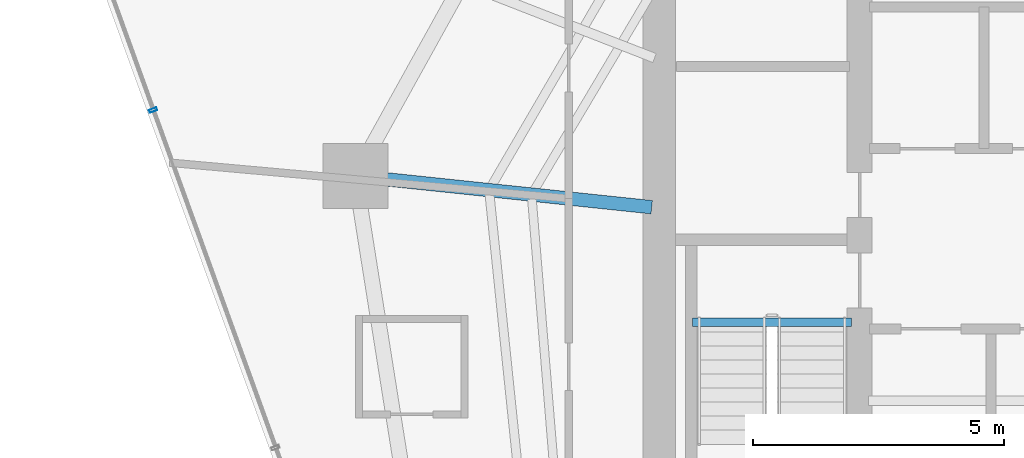
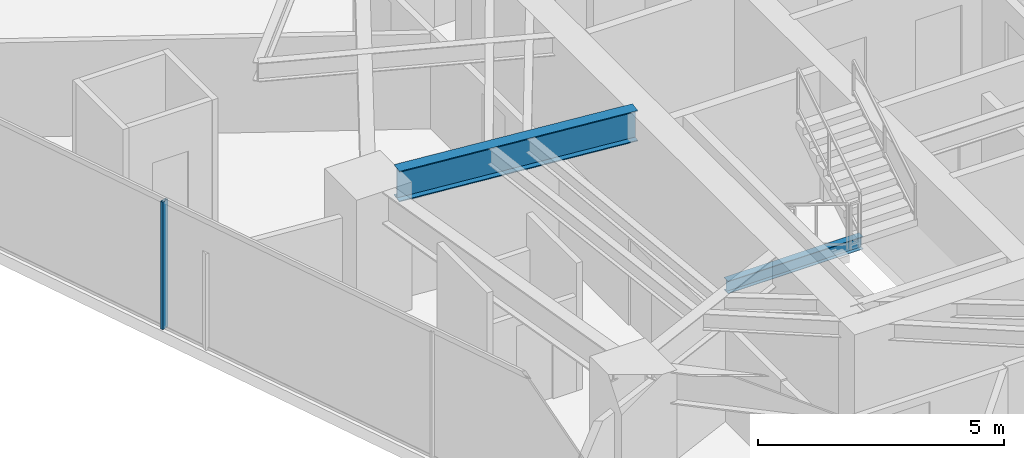
# One storey, part 9 of 33: 2 beams, 1 member, 1 element without a shape of its own.
"""IFC4 building model written with IfcOpenShell, lengths in metres."""

from ifc_helpers import new_model, si_unit, direction, frame, origin, origin_2d, place, context, subcontext, project, spatial, hollow_rectangle, i_section, extrude, material, layer, layer_set, material_profile, profile_set, type_object, element, aggregate, save


model = new_model("IFC4")

# Units and contexts
model_context = context("Model", 3, precision=1e-05, world=origin(), true_north=direction((0.0, 1.0)))
body_context = subcontext(model_context, "Body", "Model", "MODEL_VIEW")
ifc_project = project(units=[si_unit("LENGTHUNIT", "METRE"), si_unit("AREAUNIT", "SQUARE_METRE"), si_unit("VOLUMEUNIT", "CUBIC_METRE"), si_unit("PLANEANGLEUNIT", "RADIAN"), si_unit("MASSUNIT", "GRAM", prefix="KILO")], contexts=[model_context])

# Site, building, storey
site_placement = place(None, origin())
site = spatial("IfcSite", under=ifc_project, at=site_placement, CompositionType="ELEMENT")
building_placement = place(site_placement, origin())
building = spatial("IfcBuilding", under=site, at=building_placement, Name="Qarnah Convention Tower", CompositionType="ELEMENT")
storey_placement = place(building_placement, frame((0.0, 0.0, 30.449951171875)))
storey = spatial("IfcBuildingStorey", under=building, at=storey_placement, Name="L06", CompositionType="ELEMENT", Elevation=30.449951171875)

# Beams
ifc_material_1 = material(Name="Structural steel S355JR", Category="steel")
ifc_material_profile_1 = material_profile(ifc_material_1, i_section(OverallWidth=0.166015625, OverallDepth=0.31201171875, WebThickness=0.007080078125, FlangeThickness=0.010986328125, at=origin_2d()), Name="W310X45")
ifc_profile_set_1 = profile_set([ifc_material_profile_1], Name="Structural steel S355JR")
beam_type_1 = type_object("IfcBeamType", Name="BM-JST-W310", PredefinedType="JOIST", material=ifc_profile_set_1)
beam_1_placement = place(storey_placement, frame((27.4599609375, 25.217041015625, -0.156005859375), z_axis=(1.0, 0.0, 0.0), x_axis=(0.0, 1.0, 0.0)))
element("IfcBeam", 1, at=beam_1_placement, inside=storey, type_object=beam_type_1, Name="L06 stair landing trimmer beam BM-L06-ST1-TRM", PredefinedType="BEAM", context=body_context, shape_type="SweptSolid", body=[
    extrude(i_section(OverallWidth=0.166015625, OverallDepth=0.31201171875, WebThickness=0.007080078125, FlangeThickness=0.010986328125, at=origin_2d()), origin(), (0.0, 0.0, 1.0), 3.179931640625),
])
ifc_material_profile_2 = material_profile(ifc_material_1, i_section(OverallWidth=0.26806640625, OverallDepth=0.760009765625, WebThickness=0.014892578125, FlangeThickness=0.02197265625, at=origin_2d()), Name="W760X185")
ifc_profile_set_2 = profile_set([ifc_material_profile_2], Name="Structural steel S355JR")
beam_type_2 = type_object("IfcBeamType", Name="BM-RAD-W760", PredefinedType="BEAM", material=ifc_profile_set_2)
beam_2_placement = place(storey_placement, frame((26.65087890625, 27.509033203125, 2.7900390625), z_axis=(-0.99452834613, 0.10446707014, 0.0), x_axis=(-0.10446707014, -0.99452834613, 0.0)))
element("IfcBeam", 2, at=beam_2_placement, inside=storey, type_object=beam_type_2, Name="L06 beam BM-L06-RAD-05", PredefinedType="BEAM", context=body_context, shape_type="SweptSolid", body=[
    extrude(i_section(OverallWidth=0.26806640625, OverallDepth=0.760009765625, WebThickness=0.014892578125, FlangeThickness=0.02197265625, at=origin_2d()), origin(), (0.0, 0.0, 1.0), 5.31201171875),
])

# Curtain wall, member
ifc_material_2 = material(Name="Tempered Low-E dark glass", Category="glass")
ifc_layer = layer(ifc_material_2, 0.16796875)
ifc_layer_set = layer_set([ifc_layer], Name="Tempered Low-E dark glass")
curtain_wall_type = type_object("IfcCurtainWallType", Name="CWS-01", PredefinedType="NOTDEFINED", material=ifc_layer_set)
curtain_wall_placement = place(storey_placement, origin())
curtain_wall = element("IfcCurtainWall", 3, at=curtain_wall_placement, inside=storey, type_object=curtain_wall_type, Name="L06 unitised curtain wall CW-L06-F2", PredefinedType="NOTDEFINED")
ifc_material_3 = material(Name="Black anodised aluminium", Category="aluminium")
ifc_material_profile_3 = material_profile(ifc_material_3, hollow_rectangle(XDim=0.06005859375, YDim=0.159912109375, WallThickness=0.00390625, at=origin_2d()), Name="MUL-60X160")
ifc_profile_set_3 = profile_set([ifc_material_profile_3], Name="Black anodised aluminium")
member_type = type_object("IfcMemberType", Name="MUL-T1", PredefinedType="MULLION", material=ifc_profile_set_3)
member_placement = place(storey_placement, frame((16.705078125, 29.44580078125, 0.0), z_axis=(0.0, 0.0, 1.0), x_axis=(-0.340727130958, 0.940162231867, 0.0)))
member = element("IfcMember", 4, at=member_placement, type_object=member_type, Name="CW-L06-F2 mullion 5", PredefinedType="MULLION", context=body_context, shape_type="SweptSolid", body=[
    extrude(hollow_rectangle(XDim=0.06005859375, YDim=0.159912109375, WallThickness=0.00390625, at=origin_2d()), origin(), (0.0, 0.0, 1.0), 3.170166015625),
])
aggregate(curtain_wall, [member])

save(model, "model.ifc")
